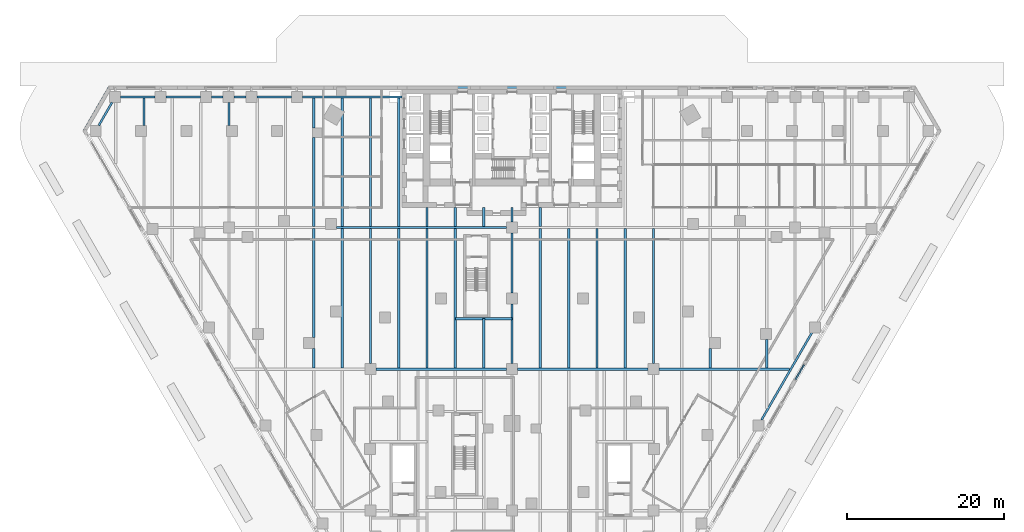
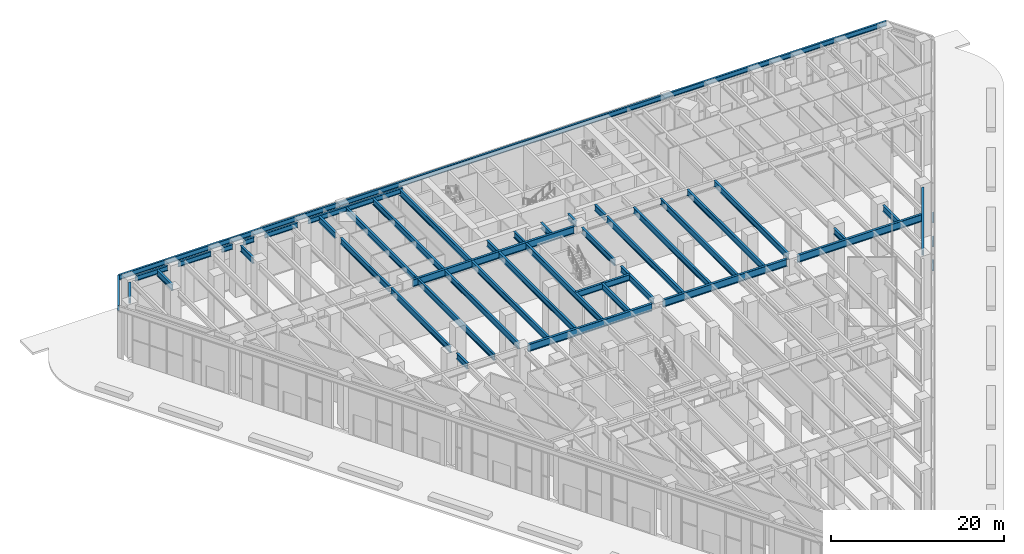
# One storey, part 13 of 37: 44 beams, 3 members, 1 element without a shape of its own.
"""IFC4 building model written with IfcOpenShell, lengths in metres."""

from ifc_helpers import new_model, si_unit, direction, frame, origin, origin_2d, place, context, subcontext, project, spatial, rectangle, i_section, extrude, material, material_profile, profile_set, type_object, element, aggregate, save


model = new_model("IFC4")

# Units and contexts
model_context = context("Model", 3, precision=1e-05, world=origin(), true_north=direction((0.0, 1.0)))
body_context = subcontext(model_context, "Body", "Model", "MODEL_VIEW")
ifc_project = project(units=[si_unit("LENGTHUNIT", "METRE"), si_unit("AREAUNIT", "SQUARE_METRE"), si_unit("VOLUMEUNIT", "CUBIC_METRE"), si_unit("PLANEANGLEUNIT", "RADIAN"), si_unit("MASSUNIT", "GRAM", prefix="KILO")], contexts=[model_context])

# Site, building, storey
site_placement = place(None, origin())
site = spatial("IfcSite", under=ifc_project, at=site_placement, CompositionType="ELEMENT")
building_placement = place(site_placement, origin())
building = spatial("IfcBuilding", under=site, at=building_placement, Name="Aloe Facet Convention Tower", CompositionType="ELEMENT")
storey_placement = place(building_placement, origin())
storey = spatial("IfcBuildingStorey", under=building, at=storey_placement, Name="L00", CompositionType="ELEMENT", Elevation=0.0)

# Beams
ifc_material_1 = material(Name="Steel S355", Category="steel")
ifc_material_profile_1 = material_profile(ifc_material_1, i_section(OverallWidth=0.25439453125, OverallDepth=0.6875, WebThickness=0.01318359375, FlangeThickness=0.02099609375, FilletRadius=0.01513671875, at=origin_2d()), Name="UB 686x254x152")
ifc_profile_set_1 = profile_set([ifc_material_profile_1], Name="Steel S355")
beam_type_1 = type_object("IfcBeamType", Name="EV-EB-UB686x254x152", PredefinedType="BEAM", material=ifc_profile_set_1)
beam_1_placement = place(storey_placement, frame((131.267578125, 134.77490234375, 6.856201171875), z_axis=(-1.0, 0.0, 0.0), x_axis=(0.0, -1.0, 0.0)))
element("IfcBeam", 1, at=beam_1_placement, inside=storey, type_object=beam_type_1, Name="EB-L01-N", PredefinedType="BEAM", context=body_context, shape_type="SweptSolid", body=[
    extrude(i_section(OverallWidth=0.25439453125, OverallDepth=0.6875, WebThickness=0.01318359375, FlangeThickness=0.02099609375, FilletRadius=0.01513671875, at=origin_2d()), origin(), (0.0, 0.0, 1.0), 102.53515625),
])
beam_2_placement = place(storey_placement, frame((28.732421875, 134.77490234375, 6.856201171875), z_axis=(-0.500016243463, -0.866016025414, 0.0), x_axis=(0.866016025414, -0.500016243463, 0.0)))
element("IfcBeam", 2, at=beam_2_placement, inside=storey, type_object=beam_type_1, Name="EB-L01-A", PredefinedType="BEAM", context=body_context, shape_type="SweptSolid", body=[
    extrude(i_section(OverallWidth=0.25439453125, OverallDepth=0.6875, WebThickness=0.01318359375, FlangeThickness=0.02099609375, FilletRadius=0.01513671875, at=origin_2d()), origin(), (0.0, 0.0, 1.0), 6.210205078125),
])

# Curtain wall, members
ifc_material_2 = material(Name="Aluminium, anodised", Category="aluminium")
curtain_wall_type = type_object("IfcCurtainWallType", Name="EV-CW-PORTAL", PredefinedType="USERDEFINED", material=ifc_material_2)
curtain_wall_placement = place(storey_placement, origin())
curtain_wall = element("IfcCurtainWall", 3, at=curtain_wall_placement, inside=storey, type_object=curtain_wall_type, Name="CW-L00-E16A", ObjectType="ENTRANCE PORTAL GLAZING", PredefinedType="USERDEFINED")
ifc_material_3 = material(Name="Aluminium, anodised", Category="aluminium")
ifc_material_profile_2 = material_profile(ifc_material_3, rectangle(XDim=0.199951171875, YDim=0.080078125, at=origin_2d()), Name="AL 200x80")
ifc_profile_set_2 = profile_set([ifc_material_profile_2], Name="Aluminium, anodised")
member_type = type_object("IfcMemberType", Name="EV-TRAN-PORTAL", PredefinedType="USERDEFINED", material=ifc_profile_set_2)
member_1_placement = place(storey_placement, frame((116.06982421875, 97.695556640625, -0.260009765625), z_axis=(0.500101383407, 0.865966862134, 0.0), x_axis=(-0.865966862134, 0.500101383407, 0.0)))
member_1 = element("IfcMember", 4, at=member_1_placement, type_object=member_type, Name="CW-L00-E16A transom 1.1", ObjectType="TRANSOM", PredefinedType="USERDEFINED", context=body_context, shape_type="SweptSolid", body=[
    extrude(rectangle(XDim=0.199951171875, YDim=0.080078125, at=origin_2d()), origin(), (0.0, 0.0, 1.0), 2.1005859375),
])
member_2_placement = place(storey_placement, frame((116.06982421875, 97.695556640625, 3.106201171875), z_axis=(0.500101383407, 0.865966862134, 0.0), x_axis=(-0.865966862134, 0.500101383407, 0.0)))
member_2 = element("IfcMember", 5, at=member_2_placement, type_object=member_type, Name="CW-L00-E16A transom 1.2", ObjectType="TRANSOM", PredefinedType="USERDEFINED", context=body_context, shape_type="SweptSolid", body=[
    extrude(rectangle(XDim=0.199951171875, YDim=0.080078125, at=origin_2d()), origin(), (0.0, 0.0, 1.0), 2.1005859375),
])
member_3_placement = place(storey_placement, frame((116.06982421875, 97.695556640625, 6.472412109375), z_axis=(0.500101383407, 0.865966862134, 0.0), x_axis=(-0.865966862134, 0.500101383407, 0.0)))
member_3 = element("IfcMember", 6, at=member_3_placement, type_object=member_type, Name="CW-L00-E16A transom 1.3", ObjectType="TRANSOM", PredefinedType="USERDEFINED", context=body_context, shape_type="SweptSolid", body=[
    extrude(rectangle(XDim=0.199951171875, YDim=0.080078125, at=origin_2d()), origin(), (0.0, 0.0, 1.0), 2.1005859375),
])
aggregate(curtain_wall, [member_1, member_2, member_3])

# Beams
ifc_material_4 = material(Name="Steel S355", Category="steel")
ifc_material_profile_3 = material_profile(ifc_material_4, i_section(OverallWidth=0.305419921875, OverallDepth=1.02587890625, WebThickness=0.02001953125, FlangeThickness=0.031005859375, FilletRadius=0.030029296875, at=origin_2d()), Name="UB 1016x305x349")
ifc_profile_set_3 = profile_set([ifc_material_profile_3], Name="Steel S355")
beam_type_2 = type_object("IfcBeamType", Name="SF-B-UB1016x305x349", PredefinedType="BEAM", material=ifc_profile_set_3)
beam_3_placement = place(storey_placement, frame((57.68408203125, 117.0, 6.68701171875), z_axis=(1.0, 0.0, 0.0), x_axis=(0.0, 1.0, 0.0)))
element("IfcBeam", 7, at=beam_3_placement, inside=storey, type_object=beam_type_2, Name="Floor beam FB-L01-035", PredefinedType="BEAM", context=body_context, shape_type="SweptSolid", body=[
    extrude(i_section(OverallWidth=0.305419921875, OverallDepth=1.02587890625, WebThickness=0.02001953125, FlangeThickness=0.031005859375, FilletRadius=0.030029296875, at=origin_2d()), origin(), (0.0, 0.0, 1.0), 21.615966796875),
])
for number, where, z_axis, x_axis, name in (
    (8, (62.699951171875, 99.0, 6.68701171875), (1.0, 0.0, 0.0), (0.0, 1.0, 0.0), "Floor beam FB-L01-037"),
    (9, (80.699951171875, 99.0, 6.68701171875), (1.0, 0.0, 0.0), (0.0, 1.0, 0.0), "Floor beam FB-L01-044"),
):
    element("IfcBeam", number, at=place(storey_placement, frame(where, z_axis=z_axis, x_axis=x_axis)), inside=storey, type_object=beam_type_2, Name=name, PredefinedType="BEAM", context=body_context, shape_type="SweptSolid", body=[
        extrude(i_section(OverallWidth=0.305419921875, OverallDepth=1.02587890625, WebThickness=0.02001953125, FlangeThickness=0.031005859375, FilletRadius=0.030029296875, at=origin_2d()), origin(), (0.0, 0.0, 1.0), 16.60009765625),
    ])
beam_4_placement = place(storey_placement, frame((98.699951171875, 99.0, 6.68701171875), z_axis=(1.0, 0.0, 0.0), x_axis=(0.0, 1.0, 0.0)))
element("IfcBeam", 10, at=beam_4_placement, inside=storey, type_object=beam_type_2, Name="Floor beam FB-L01-048", PredefinedType="BEAM", context=body_context, shape_type="SweptSolid", body=[
    extrude(i_section(OverallWidth=0.305419921875, OverallDepth=1.02587890625, WebThickness=0.02001953125, FlangeThickness=0.031005859375, FilletRadius=0.030029296875, at=origin_2d()), origin(), (0.0, 0.0, 1.0), 16.609375),
])
ifc_material_5 = material(Name="Steel S355", Category="steel")
ifc_material_profile_4 = material_profile(ifc_material_5, i_section(OverallWidth=0.25439453125, OverallDepth=0.6875, WebThickness=0.01318359375, FlangeThickness=0.02099609375, FilletRadius=0.01513671875, at=origin_2d()), Name="UB 686x254x152")
ifc_profile_set_4 = profile_set([ifc_material_profile_4], Name="Steel S355")
beam_type_3 = type_object("IfcBeamType", Name="SF-B-UB686x254x152", PredefinedType="BEAM", material=ifc_profile_set_4)
beam_5_placement = place(storey_placement, frame((27.453125, 129.98388671875, 6.856201171875), z_axis=(0.500006981563, 0.86602137294, 0.0), x_axis=(-0.86602137294, 0.500006981563, 0.0)))
element("IfcBeam", 11, at=beam_5_placement, inside=storey, type_object=beam_type_3, Name="Floor beam FB-L01-001", PredefinedType="BEAM", context=body_context, shape_type="SweptSolid", body=[
    extrude(i_section(OverallWidth=0.25439453125, OverallDepth=0.6875, WebThickness=0.01318359375, FlangeThickness=0.02099609375, FilletRadius=0.01513671875, at=origin_2d()), origin(), (0.0, 0.0, 1.0), 3.3671875),
])
beam_6_placement = place(storey_placement, frame((30.240966796875, 133.60009765625, 6.856201171875), z_axis=(1.0, 0.0, 0.0), x_axis=(0.0, 1.0, 0.0)))
element("IfcBeam", 12, at=beam_6_placement, inside=storey, type_object=beam_type_3, Name="Floor beam FB-L01-002", PredefinedType="BEAM", context=body_context, shape_type="SweptSolid", body=[
    extrude(i_section(OverallWidth=0.25439453125, OverallDepth=0.6875, WebThickness=0.01318359375, FlangeThickness=0.02099609375, FilletRadius=0.01513671875, at=origin_2d()), origin(), (0.0, 0.0, 1.0), 4.373046875),
])
beam_7_placement = place(storey_placement, frame((36.013916015625, 133.60009765625, 6.856201171875), z_axis=(1.0, 0.0, 0.0), x_axis=(0.0, 1.0, 0.0)))
element("IfcBeam", 13, at=beam_7_placement, inside=storey, type_object=beam_type_3, Name="Floor beam FB-L01-004", PredefinedType="BEAM", context=body_context, shape_type="SweptSolid", body=[
    extrude(i_section(OverallWidth=0.25439453125, OverallDepth=0.6875, WebThickness=0.01318359375, FlangeThickness=0.02099609375, FilletRadius=0.01513671875, at=origin_2d()), origin(), (0.0, 0.0, 1.0), 4.3740234375),
])
beam_8_placement = place(storey_placement, frame((41.7880859375, 133.60009765625, 6.856201171875), z_axis=(1.0, 0.0, 0.0), x_axis=(0.0, 1.0, 0.0)))
element("IfcBeam", 14, at=beam_8_placement, inside=storey, type_object=beam_type_3, Name="Floor beam FB-L01-006", PredefinedType="BEAM", context=body_context, shape_type="SweptSolid", body=[
    extrude(i_section(OverallWidth=0.25439453125, OverallDepth=0.6875, WebThickness=0.01318359375, FlangeThickness=0.02099609375, FilletRadius=0.01513671875, at=origin_2d()), origin(), (0.0, 0.0, 1.0), 1.469970703125),
])
beam_9_placement = place(storey_placement, frame((44.657958984375, 133.60009765625, 6.856201171875), z_axis=(1.0, 0.0, 0.0), x_axis=(0.0, 1.0, 0.0)))
element("IfcBeam", 15, at=beam_9_placement, inside=storey, type_object=beam_type_3, Name="Floor beam FB-L01-007", PredefinedType="BEAM", context=body_context, shape_type="SweptSolid", body=[
    extrude(i_section(OverallWidth=0.25439453125, OverallDepth=0.6875, WebThickness=0.01318359375, FlangeThickness=0.02099609375, FilletRadius=0.01513671875, at=origin_2d()), origin(), (0.0, 0.0, 1.0), 1.5029296875),
])
beam_10_placement = place(storey_placement, frame((47.56103515625, 133.60009765625, 6.856201171875), z_axis=(1.0, 0.0, 0.0), x_axis=(0.0, 1.0, 0.0)))
element("IfcBeam", 16, at=beam_10_placement, inside=storey, type_object=beam_type_3, Name="Floor beam FB-L01-008", PredefinedType="BEAM", context=body_context, shape_type="SweptSolid", body=[
    extrude(i_section(OverallWidth=0.25439453125, OverallDepth=0.6875, WebThickness=0.01318359375, FlangeThickness=0.02099609375, FilletRadius=0.01513671875, at=origin_2d()), origin(), (0.0, 0.0, 1.0), 4.3740234375),
])
beam_11_placement = place(storey_placement, frame((53.3349609375, 133.60009765625, 6.856201171875), z_axis=(1.0, 0.0, 0.0), x_axis=(0.0, 1.0, 0.0)))
element("IfcBeam", 17, at=beam_11_placement, inside=storey, type_object=beam_type_3, Name="Floor beam FB-L01-010", PredefinedType="BEAM", context=body_context, shape_type="SweptSolid", body=[
    extrude(i_section(OverallWidth=0.25439453125, OverallDepth=0.6875, WebThickness=0.01318359375, FlangeThickness=0.02099609375, FilletRadius=0.01513671875, at=origin_2d()), origin(), (0.0, 0.0, 1.0), 12.6650390625),
])
beam_12_placement = place(storey_placement, frame((118.129638671875, 103.613037109375, 6.856201171875), z_axis=(-0.499999833739, -0.866025499775, 0.0), x_axis=(0.866025499775, -0.499999833739, 0.0)))
element("IfcBeam", 18, at=beam_12_placement, inside=storey, type_object=beam_type_3, Name="Floor beam FB-L01-024", PredefinedType="BEAM", context=body_context, shape_type="SweptSolid", body=[
    extrude(i_section(OverallWidth=0.25439453125, OverallDepth=0.6875, WebThickness=0.01318359375, FlangeThickness=0.02099609375, FilletRadius=0.01513671875, at=origin_2d()), origin(), (0.0, 0.0, 1.0), 12.7998046875),
])
ifc_material_6 = material(Name="Steel S355", Category="steel")
ifc_material_profile_5 = material_profile(ifc_material_6, i_section(OverallWidth=0.293701171875, OverallDepth=0.850830078125, WebThickness=0.01611328125, FlangeThickness=0.02685546875, FilletRadius=0.017822265625, at=origin_2d()), Name="UB 838x292x226")
ifc_profile_set_5 = profile_set([ifc_material_profile_5], Name="Steel S355")
beam_type_4 = type_object("IfcBeamType", Name="SF-B-UB838x292x226", PredefinedType="BEAM", material=ifc_profile_set_5)
beam_13_placement = place(storey_placement, frame((33.199951171875, 129.98388671875, 6.774658203125), z_axis=(0.0, 1.0, 0.0), x_axis=(-1.0, 0.0, 0.0)))
element("IfcBeam", 19, at=beam_13_placement, inside=storey, type_object=beam_type_4, Name="Floor beam FB-L01-054", PredefinedType="BEAM", context=body_context, shape_type="SweptSolid", body=[
    extrude(i_section(OverallWidth=0.293701171875, OverallDepth=0.850830078125, WebThickness=0.01611328125, FlangeThickness=0.02685546875, FilletRadius=0.017822265625, at=origin_2d()), origin(), (0.0, 0.0, 1.0), 3.478759765625),
])
beam_14_placement = place(storey_placement, frame((44.0, 129.98388671875, 6.774658203125), z_axis=(0.0, 1.0, 0.0), x_axis=(-1.0, 0.0, 0.0)))
element("IfcBeam", 20, at=beam_14_placement, inside=storey, type_object=beam_type_4, Name="Floor beam FB-L01-061", PredefinedType="BEAM", context=body_context, shape_type="SweptSolid", body=[
    extrude(i_section(OverallWidth=0.293701171875, OverallDepth=0.850830078125, WebThickness=0.01611328125, FlangeThickness=0.02685546875, FilletRadius=0.017822265625, at=origin_2d()), origin(), (0.0, 0.0, 1.0), 2.916015625),
])
beam_15_placement = place(storey_placement, frame((54.800048828125, 99.152587890625, 6.774658203125), z_axis=(0.0, 1.0, 0.0), x_axis=(-1.0, 0.0, 0.0)))
element("IfcBeam", 21, at=beam_15_placement, inside=storey, type_object=beam_type_4, Name="Floor beam FB-L01-071", PredefinedType="BEAM", context=body_context, shape_type="SweptSolid", body=[
    extrude(i_section(OverallWidth=0.293701171875, OverallDepth=0.850830078125, WebThickness=0.01611328125, FlangeThickness=0.02685546875, FilletRadius=0.017822265625, at=origin_2d()), origin(), (0.0, 0.0, 1.0), 2.472412109375),
])
beam_16_placement = place(storey_placement, frame((54.800048828125, 103.02490234375, 6.774658203125), z_axis=(0.0, 1.0, 0.0), x_axis=(-1.0, 0.0, 0.0)))
element("IfcBeam", 22, at=beam_16_placement, inside=storey, type_object=beam_type_4, Name="Floor beam FB-L01-072", PredefinedType="BEAM", context=body_context, shape_type="SweptSolid", body=[
    extrude(i_section(OverallWidth=0.293701171875, OverallDepth=0.850830078125, WebThickness=0.01611328125, FlangeThickness=0.02685546875, FilletRadius=0.017822265625, at=origin_2d()), origin(), (0.0, 0.0, 1.0), 13.822509765625),
])
beam_17_placement = place(storey_placement, frame((54.800048828125, 117.152587890625, 6.774658203125), z_axis=(0.0, 1.0, 0.0), x_axis=(-1.0, 0.0, 0.0)))
element("IfcBeam", 23, at=beam_17_placement, inside=storey, type_object=beam_type_4, Name="Floor beam FB-L01-073", PredefinedType="BEAM", context=body_context, shape_type="SweptSolid", body=[
    extrude(i_section(OverallWidth=0.293701171875, OverallDepth=0.850830078125, WebThickness=0.01611328125, FlangeThickness=0.02685546875, FilletRadius=0.017822265625, at=origin_2d()), origin(), (0.0, 0.0, 1.0), 11.275390625),
])
beam_18_placement = place(storey_placement, frame((54.800048828125, 129.6279296875, 6.774658203125), z_axis=(0.0, 1.0, 0.0), x_axis=(-1.0, 0.0, 0.0)))
element("IfcBeam", 24, at=beam_18_placement, inside=storey, type_object=beam_type_4, Name="Floor beam FB-L01-074", PredefinedType="BEAM", context=body_context, shape_type="SweptSolid", body=[
    extrude(i_section(OverallWidth=0.293701171875, OverallDepth=0.850830078125, WebThickness=0.01611328125, FlangeThickness=0.02685546875, FilletRadius=0.017822265625, at=origin_2d()), origin(), (0.0, 0.0, 1.0), 3.834716796875),
])
beam_19_placement = place(storey_placement, frame((58.39990234375, 99.152587890625, 6.774658203125), z_axis=(0.0, 1.0, 0.0), x_axis=(-1.0, 0.0, 0.0)))
element("IfcBeam", 25, at=beam_19_placement, inside=storey, type_object=beam_type_4, Name="Floor beam FB-L01-077", PredefinedType="BEAM", context=body_context, shape_type="SweptSolid", body=[
    extrude(i_section(OverallWidth=0.293701171875, OverallDepth=0.850830078125, WebThickness=0.01611328125, FlangeThickness=0.02685546875, FilletRadius=0.017822265625, at=origin_2d()), origin(), (0.0, 0.0, 1.0), 17.69482421875),
])
beam_20_placement = place(storey_placement, frame((58.39990234375, 117.152587890625, 6.774658203125), z_axis=(0.0, 1.0, 0.0), x_axis=(-1.0, 0.0, 0.0)))
element("IfcBeam", 26, at=beam_20_placement, inside=storey, type_object=beam_type_4, Name="Floor beam FB-L01-078", PredefinedType="BEAM", context=body_context, shape_type="SweptSolid", body=[
    extrude(i_section(OverallWidth=0.293701171875, OverallDepth=0.850830078125, WebThickness=0.01611328125, FlangeThickness=0.02685546875, FilletRadius=0.017822265625, at=origin_2d()), origin(), (0.0, 0.0, 1.0), 16.31005859375),
])
beam_21_placement = place(storey_placement, frame((62.0, 99.699951171875, 6.774658203125), z_axis=(0.0, 1.0, 0.0), x_axis=(-1.0, 0.0, 0.0)))
element("IfcBeam", 27, at=beam_21_placement, inside=storey, type_object=beam_type_4, Name="Floor beam FB-L01-085", PredefinedType="BEAM", context=body_context, shape_type="SweptSolid", body=[
    extrude(i_section(OverallWidth=0.293701171875, OverallDepth=0.850830078125, WebThickness=0.01611328125, FlangeThickness=0.02685546875, FilletRadius=0.017822265625, at=origin_2d()), origin(), (0.0, 0.0, 1.0), 17.1474609375),
])
beam_22_placement = place(storey_placement, frame((62.0, 117.152587890625, 6.774658203125), z_axis=(0.0, 1.0, 0.0), x_axis=(-1.0, 0.0, 0.0)))
element("IfcBeam", 28, at=beam_22_placement, inside=storey, type_object=beam_type_4, Name="Floor beam FB-L01-086", PredefinedType="BEAM", context=body_context, shape_type="SweptSolid", body=[
    extrude(i_section(OverallWidth=0.293701171875, OverallDepth=0.850830078125, WebThickness=0.01611328125, FlangeThickness=0.02685546875, FilletRadius=0.017822265625, at=origin_2d()), origin(), (0.0, 0.0, 1.0), 16.31005859375),
])
beam_23_placement = place(storey_placement, frame((65.60009765625, 99.152587890625, 6.774658203125), z_axis=(0.0, 1.0, 0.0), x_axis=(-1.0, 0.0, 0.0)))
element("IfcBeam", 29, at=beam_23_placement, inside=storey, type_object=beam_type_4, Name="Floor beam FB-L01-089", PredefinedType="BEAM", context=body_context, shape_type="SweptSolid", body=[
    extrude(i_section(OverallWidth=0.293701171875, OverallDepth=0.850830078125, WebThickness=0.01611328125, FlangeThickness=0.02685546875, FilletRadius=0.017822265625, at=origin_2d()), origin(), (0.0, 0.0, 1.0), 17.69482421875),
])
beam_24_placement = place(storey_placement, frame((65.60009765625, 117.152587890625, 6.774658203125), z_axis=(0.0, 1.0, 0.0), x_axis=(-1.0, 0.0, 0.0)))
element("IfcBeam", 30, at=beam_24_placement, inside=storey, type_object=beam_type_4, Name="Floor beam FB-L01-090", PredefinedType="BEAM", context=body_context, shape_type="SweptSolid", body=[
    extrude(i_section(OverallWidth=0.293701171875, OverallDepth=0.850830078125, WebThickness=0.01611328125, FlangeThickness=0.02685546875, FilletRadius=0.017822265625, at=origin_2d()), origin(), (0.0, 0.0, 1.0), 16.31005859375),
])
beam_25_placement = place(storey_placement, frame((69.199951171875, 99.152587890625, 6.774658203125), z_axis=(0.0, 1.0, 0.0), x_axis=(-1.0, 0.0, 0.0)))
element("IfcBeam", 31, at=beam_25_placement, inside=storey, type_object=beam_type_4, Name="Floor beam FB-L01-098", PredefinedType="BEAM", context=body_context, shape_type="SweptSolid", body=[
    extrude(i_section(OverallWidth=0.293701171875, OverallDepth=0.850830078125, WebThickness=0.01611328125, FlangeThickness=0.02685546875, FilletRadius=0.017822265625, at=origin_2d()), origin(), (0.0, 0.0, 1.0), 17.69482421875),
])
beam_26_placement = place(storey_placement, frame((69.199951171875, 117.152587890625, 6.774658203125), z_axis=(0.0, 1.0, 0.0), x_axis=(-1.0, 0.0, 0.0)))
element("IfcBeam", 32, at=beam_26_placement, inside=storey, type_object=beam_type_4, Name="Floor beam FB-L01-099", PredefinedType="BEAM", context=body_context, shape_type="SweptSolid", body=[
    extrude(i_section(OverallWidth=0.293701171875, OverallDepth=0.850830078125, WebThickness=0.01611328125, FlangeThickness=0.02685546875, FilletRadius=0.017822265625, at=origin_2d()), origin(), (0.0, 0.0, 1.0), 2.3974609375),
])
beam_27_placement = place(storey_placement, frame((72.800048828125, 99.152587890625, 6.774658203125), z_axis=(0.0, 1.0, 0.0), x_axis=(-1.0, 0.0, 0.0)))
element("IfcBeam", 33, at=beam_27_placement, inside=storey, type_object=beam_type_4, Name="Floor beam FB-L01-104", PredefinedType="BEAM", context=body_context, shape_type="SweptSolid", body=[
    extrude(i_section(OverallWidth=0.293701171875, OverallDepth=0.850830078125, WebThickness=0.01611328125, FlangeThickness=0.02685546875, FilletRadius=0.017822265625, at=origin_2d()), origin(), (0.0, 0.0, 1.0), 17.69482421875),
])
beam_28_placement = place(storey_placement, frame((72.800048828125, 105.39990234375, 6.774658203125), z_axis=(1.0, 0.0, 0.0), x_axis=(0.0, 1.0, 0.0)))
element("IfcBeam", 34, at=beam_28_placement, inside=storey, type_object=beam_type_4, Name="Floor beam FB-L01-105", PredefinedType="BEAM", context=body_context, shape_type="SweptSolid", body=[
    extrude(i_section(OverallWidth=0.293701171875, OverallDepth=0.850830078125, WebThickness=0.01611328125, FlangeThickness=0.02685546875, FilletRadius=0.017822265625, at=origin_2d()), origin(), (0.0, 0.0, 1.0), 7.199951171875),
])
beam_29_placement = place(storey_placement, frame((72.800048828125, 117.152587890625, 6.774658203125), z_axis=(0.0, 1.0, 0.0), x_axis=(-1.0, 0.0, 0.0)))
element("IfcBeam", 35, at=beam_29_placement, inside=storey, type_object=beam_type_4, Name="Floor beam FB-L01-106", PredefinedType="BEAM", context=body_context, shape_type="SweptSolid", body=[
    extrude(i_section(OverallWidth=0.293701171875, OverallDepth=0.850830078125, WebThickness=0.01611328125, FlangeThickness=0.02685546875, FilletRadius=0.017822265625, at=origin_2d()), origin(), (0.0, 0.0, 1.0), 2.3974609375),
])
beam_30_placement = place(storey_placement, frame((76.39990234375, 99.152587890625, 6.774658203125), z_axis=(0.0, 1.0, 0.0), x_axis=(-1.0, 0.0, 0.0)))
element("IfcBeam", 36, at=beam_30_placement, inside=storey, type_object=beam_type_4, Name="Floor beam FB-L01-111", PredefinedType="BEAM", context=body_context, shape_type="SweptSolid", body=[
    extrude(i_section(OverallWidth=0.293701171875, OverallDepth=0.850830078125, WebThickness=0.01611328125, FlangeThickness=0.02685546875, FilletRadius=0.017822265625, at=origin_2d()), origin(), (0.0, 0.0, 1.0), 6.247314453125),
])
beam_31_placement = place(storey_placement, frame((76.39990234375, 117.152587890625, 6.774658203125), z_axis=(0.0, 1.0, 0.0), x_axis=(-1.0, 0.0, 0.0)))
element("IfcBeam", 37, at=beam_31_placement, inside=storey, type_object=beam_type_4, Name="Floor beam FB-L01-112", PredefinedType="BEAM", context=body_context, shape_type="SweptSolid", body=[
    extrude(i_section(OverallWidth=0.293701171875, OverallDepth=0.850830078125, WebThickness=0.01611328125, FlangeThickness=0.02685546875, FilletRadius=0.017822265625, at=origin_2d()), origin(), (0.0, 0.0, 1.0), 2.3974609375),
])
for number, where, z_axis, x_axis, name in (
    (38, (80.0, 99.699951171875, 6.774658203125), (0.0, 1.0, 0.0), (-1.0, 0.0, 0.0), "Floor beam FB-L01-117"),
    (39, (80.0, 108.699951171875, 6.774658203125), (0.0, 1.0, 0.0), (-1.0, 0.0, 0.0), "Floor beam FB-L01-118"),
):
    element("IfcBeam", number, at=place(storey_placement, frame(where, z_axis=z_axis, x_axis=x_axis)), inside=storey, type_object=beam_type_4, Name=name, PredefinedType="BEAM", context=body_context, shape_type="SweptSolid", body=[
        extrude(i_section(OverallWidth=0.293701171875, OverallDepth=0.850830078125, WebThickness=0.01611328125, FlangeThickness=0.02685546875, FilletRadius=0.017822265625, at=origin_2d()), origin(), (0.0, 0.0, 1.0), 7.60009765625),
    ])
beam_32_placement = place(storey_placement, frame((80.0, 117.699951171875, 6.774658203125), z_axis=(0.0, 1.0, 0.0), x_axis=(-1.0, 0.0, 0.0)))
element("IfcBeam", 40, at=beam_32_placement, inside=storey, type_object=beam_type_4, Name="Floor beam FB-L01-119", PredefinedType="BEAM", context=body_context, shape_type="SweptSolid", body=[
    extrude(i_section(OverallWidth=0.293701171875, OverallDepth=0.850830078125, WebThickness=0.01611328125, FlangeThickness=0.02685546875, FilletRadius=0.017822265625, at=origin_2d()), origin(), (0.0, 0.0, 1.0), 1.85009765625),
])
beam_33_placement = place(storey_placement, frame((83.60009765625, 99.152587890625, 6.774658203125), z_axis=(0.0, 1.0, 0.0), x_axis=(-1.0, 0.0, 0.0)))
element("IfcBeam", 41, at=beam_33_placement, inside=storey, type_object=beam_type_4, Name="Floor beam FB-L01-124", PredefinedType="BEAM", context=body_context, shape_type="SweptSolid", body=[
    extrude(i_section(OverallWidth=0.293701171875, OverallDepth=0.850830078125, WebThickness=0.01611328125, FlangeThickness=0.02685546875, FilletRadius=0.017822265625, at=origin_2d()), origin(), (0.0, 0.0, 1.0), 17.69482421875),
])
beam_34_placement = place(storey_placement, frame((83.60009765625, 117.152587890625, 6.774658203125), z_axis=(0.0, 1.0, 0.0), x_axis=(-1.0, 0.0, 0.0)))
element("IfcBeam", 42, at=beam_34_placement, inside=storey, type_object=beam_type_4, Name="Floor beam FB-L01-125", PredefinedType="BEAM", context=body_context, shape_type="SweptSolid", body=[
    extrude(i_section(OverallWidth=0.293701171875, OverallDepth=0.850830078125, WebThickness=0.01611328125, FlangeThickness=0.02685546875, FilletRadius=0.017822265625, at=origin_2d()), origin(), (0.0, 0.0, 1.0), 2.3974609375),
])
for number, where, z_axis, x_axis, name in (
    (43, (87.199951171875, 99.152587890625, 6.774658203125), (0.0, 1.0, 0.0), (-1.0, 0.0, 0.0), "Floor beam FB-L01-129"),
    (44, (90.800048828125, 99.152587890625, 6.774658203125), (0.0, 1.0, 0.0), (-1.0, 0.0, 0.0), "Floor beam FB-L01-137"),
    (45, (94.39990234375, 99.152587890625, 6.774658203125), (0.0, 1.0, 0.0), (-1.0, 0.0, 0.0), "Floor beam FB-L01-142"),
):
    element("IfcBeam", number, at=place(storey_placement, frame(where, z_axis=z_axis, x_axis=x_axis)), inside=storey, type_object=beam_type_4, Name=name, PredefinedType="BEAM", context=body_context, shape_type="SweptSolid", body=[
        extrude(i_section(OverallWidth=0.293701171875, OverallDepth=0.850830078125, WebThickness=0.01611328125, FlangeThickness=0.02685546875, FilletRadius=0.017822265625, at=origin_2d()), origin(), (0.0, 0.0, 1.0), 17.69482421875),
    ])
beam_35_placement = place(storey_placement, frame((98.0, 99.699951171875, 6.774658203125), z_axis=(0.0, 1.0, 0.0), x_axis=(-1.0, 0.0, 0.0)))
element("IfcBeam", 46, at=beam_35_placement, inside=storey, type_object=beam_type_4, Name="Floor beam FB-L01-148", PredefinedType="BEAM", context=body_context, shape_type="SweptSolid", body=[
    extrude(i_section(OverallWidth=0.293701171875, OverallDepth=0.850830078125, WebThickness=0.01611328125, FlangeThickness=0.02685546875, FilletRadius=0.017822265625, at=origin_2d()), origin(), (0.0, 0.0, 1.0), 17.1474609375),
])
beam_36_placement = place(storey_placement, frame((105.199951171875, 99.152587890625, 6.774658203125), z_axis=(0.0, 1.0, 0.0), x_axis=(-1.0, 0.0, 0.0)))
element("IfcBeam", 47, at=beam_36_placement, inside=storey, type_object=beam_type_4, Name="Floor beam FB-L01-156", PredefinedType="BEAM", context=body_context, shape_type="SweptSolid", body=[
    extrude(i_section(OverallWidth=0.293701171875, OverallDepth=0.850830078125, WebThickness=0.01611328125, FlangeThickness=0.02685546875, FilletRadius=0.017822265625, at=origin_2d()), origin(), (0.0, 0.0, 1.0), 2.472412109375),
])
beam_37_placement = place(storey_placement, frame((112.39990234375, 99.152587890625, 6.774658203125), z_axis=(0.0, 1.0, 0.0), x_axis=(-1.0, 0.0, 0.0)))
element("IfcBeam", 48, at=beam_37_placement, inside=storey, type_object=beam_type_4, Name="Floor beam FB-L01-164", PredefinedType="BEAM", context=body_context, shape_type="SweptSolid", body=[
    extrude(i_section(OverallWidth=0.293701171875, OverallDepth=0.850830078125, WebThickness=0.01611328125, FlangeThickness=0.02685546875, FilletRadius=0.017822265625, at=origin_2d()), origin(), (0.0, 0.0, 1.0), 3.63232421875),
])

save(model, "model.ifc")
